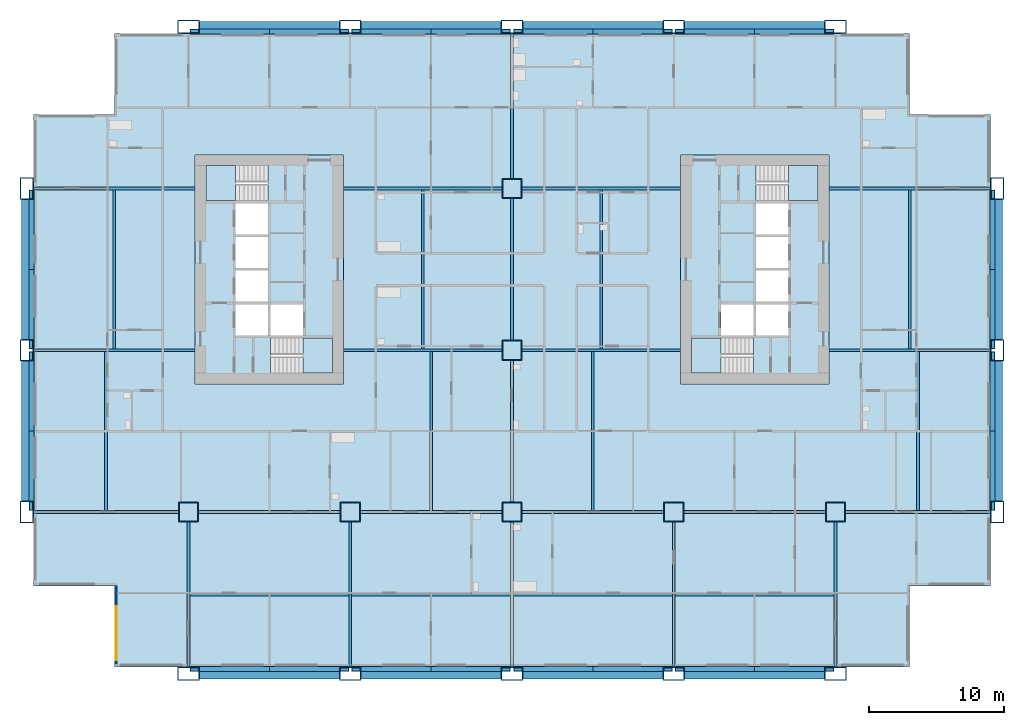
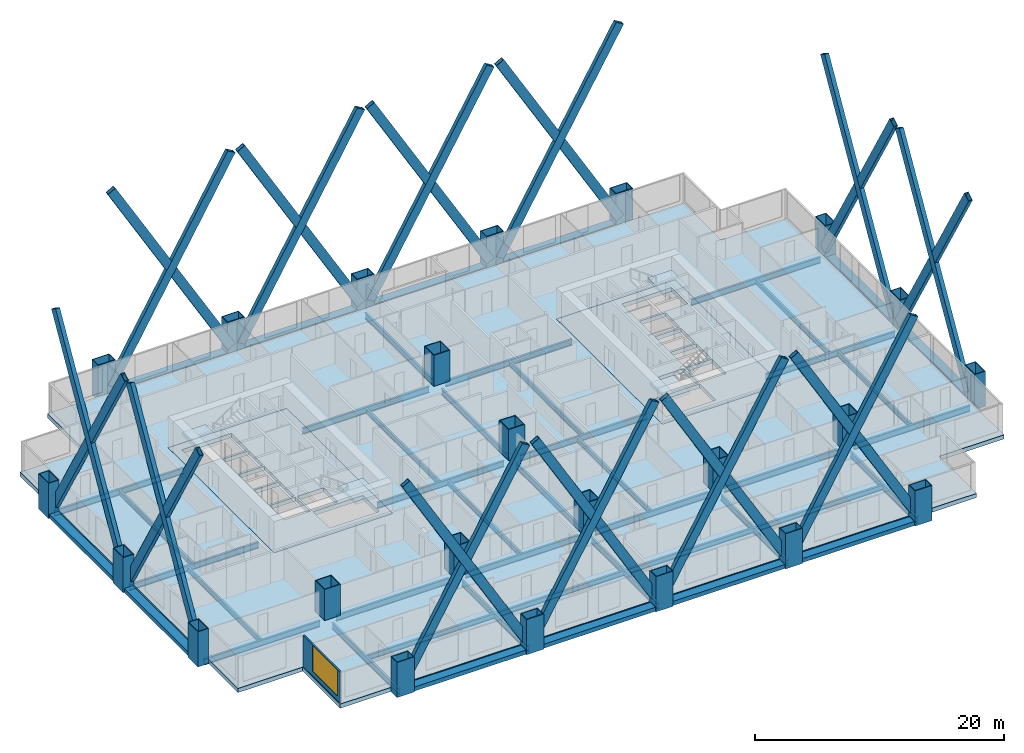
# One storey, part 1 of 13: 46 beams, 24 members, 23 columns, 7 slabs, 1 wall, 1 window, 1 opening, 4 elements without a shape of their own.
"""IFC4 building model written with IfcOpenShell, lengths in metres."""

import ifcopenshell
import ifcopenshell.guid

model = None  # the IFC model being written
_history = None  # IfcOwnerHistory: only IFC2X3 demands one
_inside = {}  # id of a spatial element -> (the spatial element, [elements in it])
_under = {}  # id of a project, library or spatial element -> (it, [spatial elements below it])
_declared = {}  # id of a project -> (the project, [libraries it declares])
_typed = {}  # id of a type object -> (the type object, [elements of that type])
_made_of = {}  # id of a material, layer set ... -> (it, [elements and type objects made of it])


def new_model(schema):
    """Start an empty IFC model of exactly this schema.

    Asked for "IFC4X3", IfcOpenShell would pick the latest addendum, in which some entities
    have other attributes; the version numbers below select the first issue.
    IFC2X3 requires an IfcOwnerHistory on every rooted entity: one is made here for all.
    """
    global model, _history
    if schema == "IFC4X3":
        model = ifcopenshell.file(schema_version=(4, 3, 0, 0))
    else:
        model = ifcopenshell.file(schema=schema)
    _inside.clear()
    _under.clear()
    _declared.clear()
    _typed.clear()
    _made_of.clear()
    _history = None
    if model.schema == "IFC2X3":
        org = make("IfcOrganization", Name="unknown")
        user = make(
            "IfcPersonAndOrganization",
            ThePerson=make("IfcPerson", FamilyName="unknown"),
            TheOrganization=org,
        )
        app = make(
            "IfcApplication",
            ApplicationDeveloper=org,
            Version="unknown",
            ApplicationFullName="unknown",
            ApplicationIdentifier="unknown",
        )
        _history = make(
            "IfcOwnerHistory",
            OwningUser=user,
            OwningApplication=app,
            ChangeAction="ADDED",
            CreationDate=0,
        )
    return model


def make(cls, **values):
    """One entity of the class cls with the attributes given. An attribute that is None is left unset."""
    return model.create_entity(
        cls, **{name: value for name, value in values.items() if value is not None}
    )


def rooted(cls, **values):
    """An entity with a GlobalId (a new one), such as an element, a storey or a relation."""
    return make(cls, GlobalId=ifcopenshell.guid.new(), OwnerHistory=_history, **values)


def si_unit(unit_type, name, prefix=None):
    """IfcSIUnit, for example si_unit("LENGTHUNIT", "METRE", prefix="MILLI")."""
    return make("IfcSIUnit", UnitType=unit_type, Prefix=prefix, Name=name)


def assignment(units):
    """IfcUnitAssignment: the units of a project."""
    return None if units is None else make("IfcUnitAssignment", Units=units)


def point(xyz):
    """IfcCartesianPoint."""
    return None if xyz is None else make("IfcCartesianPoint", Coordinates=xyz)


def direction(xyz):
    """IfcDirection."""
    return None if xyz is None else make("IfcDirection", DirectionRatios=xyz)


def frame(location, z_axis=None, x_axis=None):
    """IfcAxis2Placement3D, a coordinate frame: its origin and axes. An axis left out is left unset."""
    return make(
        "IfcAxis2Placement3D",
        Location=point(location),
        Axis=direction(z_axis),
        RefDirection=direction(x_axis),
    )


def frame_2d(location, x_axis=None):
    """IfcAxis2Placement2D, a coordinate frame in the plane: its origin and x axis."""
    return make(
        "IfcAxis2Placement2D", Location=point(location), RefDirection=direction(x_axis)
    )


def origin():
    """The frame at (0, 0, 0) with its axes left unset."""
    return frame((0.0, 0.0, 0.0))


def origin_2d():
    """The frame at (0, 0) in the plane with its x axis left unset."""
    return frame_2d((0.0, 0.0))


def place(relative_to, where):
    """IfcLocalPlacement: puts the frame where relative to a parent placement (None: the world)."""
    return make(
        "IfcLocalPlacement", PlacementRelTo=relative_to, RelativePlacement=where
    )


def context(
    kind, dimensions, precision=None, world=None, true_north=None, identifier=None
):
    """IfcGeometricRepresentationContext, for example the 3D "Model" context."""
    return make(
        "IfcGeometricRepresentationContext",
        ContextIdentifier=identifier,
        ContextType=kind,
        CoordinateSpaceDimension=dimensions,
        Precision=precision,
        WorldCoordinateSystem=world,
        TrueNorth=true_north,
    )


def subcontext(parent, identifier, kind, view, scale=None):
    """IfcGeometricRepresentationSubContext, for example "Body" below "Model"."""
    return make(
        "IfcGeometricRepresentationSubContext",
        ContextIdentifier=identifier,
        ContextType=kind,
        ParentContext=parent,
        TargetScale=scale,
        TargetView=view,
    )


def project(units=None, contexts=None):
    """IfcProject with its units and contexts."""
    return rooted(
        "IfcProject",
        Name="project",
        RepresentationContexts=contexts,
        UnitsInContext=assignment(units),
    )


def spatial(cls, under=None, at=None, **own):
    """A site, building, storey or space (cls), placed at a placement, below another one or the project."""
    s = rooted(cls, ObjectPlacement=at, **own)
    if under is not None:
        _under.setdefault(under.id(), (under, []))[1].append(s)
    return s


def polyline(points):
    """IfcPolyline through the points."""
    return make("IfcPolyline", Points=[point(p) for p in points])


def profile(cls, at=None, kind="AREA", **sizes):
    """A parametric profile (cls). Its sizes go by their IFC names, for example OverallWidth=200.0."""
    return make(cls, ProfileType=kind, Position=at, **sizes)


def rectangle(**sizes):
    """IfcRectangleProfileDef."""
    return profile("IfcRectangleProfileDef", **sizes)


def hollow_rectangle(**sizes):
    """IfcRectangleHollowProfileDef."""
    return profile("IfcRectangleHollowProfileDef", **sizes)


def i_section(**sizes):
    """IfcIShapeProfileDef."""
    return profile("IfcIShapeProfileDef", **sizes)


def outline(outer, holes=None, kind="AREA"):
    """IfcArbitraryClosedProfileDef: a profile drawn as a closed curve; with holes, ...WithVoids."""
    if holes is None:
        return make("IfcArbitraryClosedProfileDef", ProfileType=kind, OuterCurve=outer)
    return make(
        "IfcArbitraryProfileDefWithVoids",
        ProfileType=kind,
        OuterCurve=outer,
        InnerCurves=holes,
    )


def extrude(swept, where, along, depth):
    """IfcExtrudedAreaSolid: the profile swept, set in the frame where, extruded along a direction by depth."""
    return make(
        "IfcExtrudedAreaSolid",
        SweptArea=swept,
        Position=where,
        ExtrudedDirection=direction(along),
        Depth=depth,
    )


def shape(context_of_items, identifier, shape_type, items):
    """IfcShapeRepresentation: the items that make up one representation, for example the "Body"."""
    return make(
        "IfcShapeRepresentation",
        ContextOfItems=context_of_items,
        RepresentationIdentifier=identifier,
        RepresentationType=shape_type,
        Items=items,
    )


def material(Name=None, Category=None):
    """IfcMaterial."""
    return make("IfcMaterial", Name=Name, Category=Category)


def layer(
    of_material, thickness, ventilated=None, Name=None, Category=None, Priority=None
):
    """IfcMaterialLayer: one layer of a wall or slab, of a material (None: an air gap)."""
    return make(
        "IfcMaterialLayer",
        Material=of_material,
        LayerThickness=thickness,
        IsVentilated=ventilated,
        Name=Name,
        Category=Category,
        Priority=Priority,
    )


def layer_set(layers, Name=None):
    """IfcMaterialLayerSet."""
    return make("IfcMaterialLayerSet", MaterialLayers=layers, LayerSetName=Name)


def material_profile(
    of_material, cross_section, Name=None, Category=None, Priority=None
):
    """IfcMaterialProfile: a cross section and its material."""
    return make(
        "IfcMaterialProfile",
        Name=Name,
        Material=of_material,
        Profile=cross_section,
        Priority=Priority,
        Category=Category,
    )


def profile_set(profiles, Name=None, composite=None):
    """IfcMaterialProfileSet."""
    return make(
        "IfcMaterialProfileSet",
        Name=Name,
        MaterialProfiles=profiles,
        CompositeProfile=composite,
    )


def made_of(thing, what):
    """Note that an element or type object is made of a material, layer set ...; save() writes the relation."""
    if what is not None:
        _made_of.setdefault(what.id(), (what, []))[1].append(thing)
    return thing


def type_object(cls, material=None, **own):
    """A type object (cls), such as IfcWallType, which elements share."""
    return made_of(rooted(cls, **own), material)


def element(
    cls,
    number,
    at=None,
    inside=None,
    cuts=None,
    type_object=None,
    material=None,
    context=None,
    identifier="Body",
    shape_type=None,
    held_by="IfcProductDefinitionShape",
    body=None,
    shapes=None,
    **own,
):
    """One element of the class cls, such as IfcWall. Its Tag is "e" and its number.

    at: its placement. inside: the storey or other place that contains it. cuts: it is an
    opening in that element (IfcRelVoidsElement). A single representation is given by context,
    identifier, shape_type and body (its items); several are given by shapes. held_by: the class
    of the entity that holds the representations. save() writes the other relations.
    """
    e = rooted(cls, Tag="e%d" % number, ObjectPlacement=at, **own)
    if body is not None:
        shapes = [shape(context, identifier, shape_type, body)]
    if shapes is not None:
        e.Representation = make(held_by, Representations=shapes)
    if inside is not None:
        _inside.setdefault(inside.id(), (inside, []))[1].append(e)
    if cuts is not None:
        rooted(
            "IfcRelVoidsElement", RelatingBuildingElement=cuts, RelatedOpeningElement=e
        )
    if type_object is not None:
        _typed.setdefault(type_object.id(), (type_object, []))[1].append(e)
    return made_of(e, material)


def fill(opening, filler):
    """IfcRelFillsElement: the door or window that sits in an opening."""
    return rooted(
        "IfcRelFillsElement",
        RelatingOpeningElement=opening,
        RelatedBuildingElement=filler,
    )


def aggregate(whole, parts):
    """IfcRelAggregates: a whole, such as a stair, and the parts it consists of."""
    return rooted("IfcRelAggregates", RelatingObject=whole, RelatedObjects=parts)


def save(model, path):
    """Write the relations noted so far, then the file.

    IfcRelAggregates (storeys below a building ...), IfcRelContainedInSpatialStructure (elements
    in a storey), IfcRelDefinesByType, IfcRelAssociatesMaterial and IfcRelDeclares: one each for
    every whole, place, type object, material and project.
    """
    for whole, parts in _under.values():
        aggregate(whole, parts)
    for where, things in _inside.values():
        rooted(
            "IfcRelContainedInSpatialStructure",
            RelatedElements=things,
            RelatingStructure=where,
        )
    for kind, things in _typed.values():
        rooted("IfcRelDefinesByType", RelatedObjects=things, RelatingType=kind)
    for what, things in _made_of.values():
        rooted("IfcRelAssociatesMaterial", RelatedObjects=things, RelatingMaterial=what)
    for by, libraries in _declared.values():
        rooted("IfcRelDeclares", RelatingContext=by, RelatedDefinitions=libraries)
    model.write(path)


model = new_model("IFC4")

# Units and contexts
model_context = context("Model", 3, precision=1e-05, world=origin(), true_north=direction((0.0, 1.0)))
body_context = subcontext(model_context, "Body", "Model", "MODEL_VIEW")
ifc_project = project(units=[si_unit("LENGTHUNIT", "METRE"), si_unit("AREAUNIT", "SQUARE_METRE"), si_unit("VOLUMEUNIT", "CUBIC_METRE"), si_unit("PLANEANGLEUNIT", "RADIAN"), si_unit("MASSUNIT", "GRAM", prefix="KILO")], contexts=[model_context])

# Site, building, storey
site_placement = place(None, origin())
site = spatial("IfcSite", under=ifc_project, at=site_placement, CompositionType="ELEMENT")
building_placement = place(site_placement, origin())
building = spatial("IfcBuilding", under=site, at=building_placement, Name="Kitamizu Gate Tower and Museum", CompositionType="ELEMENT")
storey_placement = place(building_placement, frame((0.0, 0.0, 71.39990234375)))
storey = spatial("IfcBuildingStorey", under=building, at=storey_placement, Name="L17", CompositionType="ELEMENT", Elevation=71.39990234375)

# Columns
ifc_material_1 = material(Name="Steel SM490A bronze coated", Category="steel")
ifc_material_profile_1 = material_profile(ifc_material_1, hollow_rectangle(XDim=1.60009765625, YDim=1.0, WallThickness=0.06494140625, at=origin_2d()), Name="BOX 1600x1000x65")
ifc_profile_set_1 = profile_set([ifc_material_profile_1], Name="Steel SM490A bronze coated")
column_type_1 = type_object("IfcColumnType", Name="Exoskeleton column XC3 BOX 1600x1000x65", PredefinedType="COLUMN", material=ifc_profile_set_1)
for number, where, z_axis, x_axis, name in (
    (1, (0.0, 12.0, -0.39990234375), (0.0, 0.0, 1.0), (0.0, 1.0, 0.0), "Column XC3 1B L17"),
    (2, (0.0, 24.0, -0.39990234375), (0.0, 0.0, 1.0), (0.0, 1.0, 0.0), "Column XC3 1C L17"),
    (3, (0.0, 36.0, -0.39990234375), (0.0, 0.0, 1.0), (0.0, 1.0, 0.0), "Column XC3 1D L17"),
    (4, (12.0, 0.0, -0.39990234375), (0.0, 0.0, 1.0), (1.0, 0.0, 0.0), "Column XC3 2A L17"),
    (5, (12.0, 48.0, -0.39990234375), (0.0, 0.0, 1.0), (1.0, 0.0, 0.0), "Column XC3 2E L17"),
    (6, (24.0, 0.0, -0.39990234375), (0.0, 0.0, 1.0), (1.0, 0.0, 0.0), "Column XC3 3A L17"),
    (7, (24.0, 48.0, -0.39990234375), (0.0, 0.0, 1.0), (1.0, 0.0, 0.0), "Column XC3 3E L17"),
    (8, (36.0, 0.0, -0.39990234375), (0.0, 0.0, 1.0), (1.0, 0.0, 0.0), "Column XC3 4A L17"),
    (9, (36.0, 48.0, -0.39990234375), (0.0, 0.0, 1.0), (1.0, 0.0, 0.0), "Column XC3 4E L17"),
    (10, (48.0, 0.0, -0.39990234375), (0.0, 0.0, 1.0), (1.0, 0.0, 0.0), "Column XC3 5A L17"),
    (11, (48.0, 48.0, -0.39990234375), (0.0, 0.0, 1.0), (1.0, 0.0, 0.0), "Column XC3 5E L17"),
    (12, (60.0, 0.0, -0.39990234375), (0.0, 0.0, 1.0), (1.0, 0.0, 0.0), "Column XC3 6A L17"),
    (13, (60.0, 48.0, -0.39990234375), (0.0, 0.0, 1.0), (1.0, 0.0, 0.0), "Column XC3 6E L17"),
    (14, (72.0, 12.0, -0.39990234375), (0.0, 0.0, 1.0), (0.0, 1.0, 0.0), "Column XC3 7B L17"),
    (15, (72.0, 24.0, -0.39990234375), (0.0, 0.0, 1.0), (0.0, 1.0, 0.0), "Column XC3 7C L17"),
    (16, (72.0, 36.0, -0.39990234375), (0.0, 0.0, 1.0), (0.0, 1.0, 0.0), "Column XC3 7D L17"),
):
    element("IfcColumn", number, at=place(storey_placement, frame(where, z_axis=z_axis, x_axis=x_axis)), inside=storey, type_object=column_type_1, Name=name, PredefinedType="COLUMN", context=body_context, shape_type="SweptSolid", body=[
        extrude(hollow_rectangle(XDim=1.60009765625, YDim=1.0, WallThickness=0.06494140625, at=origin_2d()), origin(), (0.0, 0.0, 1.0), 3.449951171875),
    ])
ifc_material_2 = material(Name="Steel SM490A", Category="steel")
ifc_material_profile_2 = material_profile(ifc_material_2, hollow_rectangle(XDim=1.5, YDim=1.5, WallThickness=0.06494140625, at=origin_2d()), Name="BOX 1500x1500x65")
ifc_profile_set_2 = profile_set([ifc_material_profile_2], Name="Steel SM490A")
column_type_2 = type_object("IfcColumnType", Name="Interior column IC2 BOX 1500x1500x65", PredefinedType="COLUMN", material=ifc_profile_set_2)
for number, where, z_axis, x_axis, name in (
    (17, (12.0, 12.0, 0.0), (0.0, 0.0, 1.0), (1.0, 0.0, 0.0), "Column IC2 2B L17"),
    (18, (24.0, 12.0, 0.0), (0.0, 0.0, 1.0), (1.0, 0.0, 0.0), "Column IC2 3B L17"),
    (19, (36.0, 12.0, 0.0), (0.0, 0.0, 1.0), (1.0, 0.0, 0.0), "Column IC2 4B L17"),
    (20, (36.0, 24.0, 0.0), (0.0, 0.0, 1.0), (1.0, 0.0, 0.0), "Column IC2 4C L17"),
    (21, (36.0, 36.0, 0.0), (0.0, 0.0, 1.0), (1.0, 0.0, 0.0), "Column IC2 4D L17"),
    (22, (48.0, 12.0, 0.0), (0.0, 0.0, 1.0), (1.0, 0.0, 0.0), "Column IC2 5B L17"),
    (23, (60.0, 12.0, 0.0), (0.0, 0.0, 1.0), (1.0, 0.0, 0.0), "Column IC2 6B L17"),
):
    element("IfcColumn", number, at=place(storey_placement, frame(where, z_axis=z_axis, x_axis=x_axis)), inside=storey, type_object=column_type_2, Name=name, PredefinedType="COLUMN", context=body_context, shape_type="SweptSolid", body=[
        extrude(hollow_rectangle(XDim=1.5, YDim=1.5, WallThickness=0.06494140625, at=origin_2d()), origin(), (0.0, 0.0, 1.0), 3.050048828125),
    ])

# Members
ifc_material_3 = material(Name="Steel SM490A bronze coated", Category="steel")
ifc_material_profile_3 = material_profile(ifc_material_3, hollow_rectangle(XDim=0.3798828125, YDim=0.800048828125, WallThickness=0.0400390625, at=origin_2d()), Name="BOX 380x800x40")
ifc_profile_set_3 = profile_set([ifc_material_profile_3], Name="Steel SM490A bronze coated")
member_type = type_object("IfcMemberType", Name="Exoskeleton brace XB3 BOX 380x800x40", PredefinedType="BRACE", material=ifc_profile_set_3)
for number, where, z_axis, x_axis, name in (
    (24, (12.449951171875, 0.360107421875, 0.60009765625), (0.502464478356, 0.0, 0.864597853334), (0.0, 1.0, 0.0), "Exoskeleton brace XB3 south 12 L17"),
    (25, (23.550048828125, 0.360107421875, 0.60009765625), (-0.502464478356, 0.0, 0.864597853334), (0.0, -1.0, 0.0), "Exoskeleton brace XB3 south 12 L17"),
    (26, (24.449951171875, 0.360107421875, 0.60009765625), (0.502464478356, 0.0, 0.864597853334), (0.0, 1.0, 0.0), "Exoskeleton brace XB3 south 24 L17"),
    (27, (35.550048828125, 0.360107421875, 0.60009765625), (-0.502464478356, 0.0, 0.864597853334), (0.0, -1.0, 0.0), "Exoskeleton brace XB3 south 24 L17"),
    (28, (36.449951171875, 0.360107421875, 0.60009765625), (0.502464478356, 0.0, 0.864597853334), (0.0, 1.0, 0.0), "Exoskeleton brace XB3 south 36 L17"),
    (29, (47.550048828125, 0.360107421875, 0.60009765625), (-0.502464478356, 0.0, 0.864597853334), (0.0, -1.0, 0.0), "Exoskeleton brace XB3 south 36 L17"),
    (30, (48.449951171875, 0.360107421875, 0.60009765625), (0.502464478356, 0.0, 0.864597853334), (0.0, 1.0, 0.0), "Exoskeleton brace XB3 south 48 L17"),
    (31, (59.550048828125, 0.360107421875, 0.60009765625), (-0.502464478356, 0.0, 0.864597853334), (0.0, -1.0, 0.0), "Exoskeleton brace XB3 south 48 L17"),
    (32, (12.449951171875, 47.639892578125, 0.60009765625), (0.502464478356, 0.0, 0.864597853334), (0.0, 1.0, 0.0), "Exoskeleton brace XB3 north 12 L17"),
    (33, (23.550048828125, 47.639892578125, 0.60009765625), (-0.502464478356, 0.0, 0.864597853334), (0.0, -1.0, 0.0), "Exoskeleton brace XB3 north 12 L17"),
    (34, (24.449951171875, 47.639892578125, 0.60009765625), (0.502464478356, 0.0, 0.864597853334), (0.0, 1.0, 0.0), "Exoskeleton brace XB3 north 24 L17"),
    (35, (35.550048828125, 47.639892578125, 0.60009765625), (-0.502464478356, 0.0, 0.864597853334), (0.0, -1.0, 0.0), "Exoskeleton brace XB3 north 24 L17"),
    (36, (36.449951171875, 47.639892578125, 0.60009765625), (0.502464478356, 0.0, 0.864597853334), (0.0, 1.0, 0.0), "Exoskeleton brace XB3 north 36 L17"),
    (37, (47.550048828125, 47.639892578125, 0.60009765625), (-0.502464478356, 0.0, 0.864597853334), (0.0, -1.0, 0.0), "Exoskeleton brace XB3 north 36 L17"),
    (38, (48.449951171875, 47.639892578125, 0.60009765625), (0.502464478356, 0.0, 0.864597853334), (0.0, 1.0, 0.0), "Exoskeleton brace XB3 north 48 L17"),
    (39, (59.550048828125, 47.639892578125, 0.60009765625), (-0.502464478356, 0.0, 0.864597853334), (0.0, -1.0, 0.0), "Exoskeleton brace XB3 north 48 L17"),
    (40, (0.360107421875, 12.449951171875, 0.60009765625), (0.0, 0.502464478356, 0.864597853334), (-1.0, 0.0, 0.0), "Exoskeleton brace XB3 west 12 L17"),
    (41, (0.360107421875, 23.550048828125, 0.60009765625), (0.0, -0.502464478356, 0.864597853334), (1.0, 0.0, 0.0), "Exoskeleton brace XB3 west 12 L17"),
    (42, (0.360107421875, 24.449951171875, 0.60009765625), (0.0, 0.502464478356, 0.864597853334), (-1.0, 0.0, 0.0), "Exoskeleton brace XB3 west 24 L17"),
    (43, (0.360107421875, 35.550048828125, 0.60009765625), (0.0, -0.502464478356, 0.864597853334), (1.0, 0.0, 0.0), "Exoskeleton brace XB3 west 24 L17"),
    (44, (71.639892578125, 12.449951171875, 0.60009765625), (0.0, 0.502464478356, 0.864597853334), (-1.0, 0.0, 0.0), "Exoskeleton brace XB3 east 12 L17"),
    (45, (71.639892578125, 23.550048828125, 0.60009765625), (0.0, -0.502464478356, 0.864597853334), (1.0, 0.0, 0.0), "Exoskeleton brace XB3 east 12 L17"),
    (46, (71.639892578125, 24.449951171875, 0.60009765625), (0.0, 0.502464478356, 0.864597853334), (-1.0, 0.0, 0.0), "Exoskeleton brace XB3 east 24 L17"),
    (47, (71.639892578125, 35.550048828125, 0.60009765625), (0.0, -0.502464478356, 0.864597853334), (1.0, 0.0, 0.0), "Exoskeleton brace XB3 east 24 L17"),
):
    element("IfcMember", number, at=place(storey_placement, frame(where, z_axis=z_axis, x_axis=x_axis)), inside=storey, type_object=member_type, Name=name, PredefinedType="BRACE", context=body_context, shape_type="SweptSolid", body=[
        extrude(hollow_rectangle(XDim=0.3798828125, YDim=0.800048828125, WallThickness=0.0400390625, at=origin_2d()), origin(), (0.0, 0.0, 1.0), 22.09130859375),
    ])

# Beams
ifc_material_4 = material(Name="Steel SM490A bronze coated", Category="steel")
ifc_material_profile_4 = material_profile(ifc_material_4, hollow_rectangle(XDim=0.800048828125, YDim=0.39990234375, WallThickness=0.0400390625, at=origin_2d()), Name="BOX 800x400x40")
ifc_profile_set_4 = profile_set([ifc_material_profile_4], Name="Steel SM490A bronze coated")
beam_type_1 = type_object("IfcBeamType", Name="Exoskeleton spandrel beam SB1 BOX 800x400x40", PredefinedType="SPANDREL", material=ifc_profile_set_4)
for number, where, z_axis, x_axis, name in (
    (48, (12.800048828125, 0.0, -0.199951171875), (1.0, 0.0, 0.0), (0.0, 1.0, 0.0), "Exoskeleton spandrel beam south 12 L17"),
    (49, (24.800048828125, 0.0, -0.199951171875), (1.0, 0.0, 0.0), (0.0, 1.0, 0.0), "Exoskeleton spandrel beam south 24 L17"),
    (50, (36.800048828125, 0.0, -0.199951171875), (1.0, 0.0, 0.0), (0.0, 1.0, 0.0), "Exoskeleton spandrel beam south 36 L17"),
    (51, (48.800048828125, 0.0, -0.199951171875), (1.0, 0.0, 0.0), (0.0, 1.0, 0.0), "Exoskeleton spandrel beam south 48 L17"),
    (52, (12.800048828125, 48.0, -0.199951171875), (1.0, 0.0, 0.0), (0.0, 1.0, 0.0), "Exoskeleton spandrel beam north 12 L17"),
    (53, (24.800048828125, 48.0, -0.199951171875), (1.0, 0.0, 0.0), (0.0, 1.0, 0.0), "Exoskeleton spandrel beam north 24 L17"),
    (54, (36.800048828125, 48.0, -0.199951171875), (1.0, 0.0, 0.0), (0.0, 1.0, 0.0), "Exoskeleton spandrel beam north 36 L17"),
    (55, (48.800048828125, 48.0, -0.199951171875), (1.0, 0.0, 0.0), (0.0, 1.0, 0.0), "Exoskeleton spandrel beam north 48 L17"),
    (56, (0.0, 12.800048828125, -0.199951171875), (0.0, 1.0, 0.0), (-1.0, 0.0, 0.0), "Exoskeleton spandrel beam west 12 L17"),
    (57, (0.0, 24.800048828125, -0.199951171875), (0.0, 1.0, 0.0), (-1.0, 0.0, 0.0), "Exoskeleton spandrel beam west 24 L17"),
    (58, (72.0, 12.800048828125, -0.199951171875), (0.0, 1.0, 0.0), (-1.0, 0.0, 0.0), "Exoskeleton spandrel beam east 12 L17"),
    (59, (72.0, 24.800048828125, -0.199951171875), (0.0, 1.0, 0.0), (-1.0, 0.0, 0.0), "Exoskeleton spandrel beam east 24 L17"),
):
    element("IfcBeam", number, at=place(storey_placement, frame(where, z_axis=z_axis, x_axis=x_axis)), inside=storey, type_object=beam_type_1, Name=name, PredefinedType="SPANDREL", context=body_context, shape_type="SweptSolid", body=[
        extrude(hollow_rectangle(XDim=0.800048828125, YDim=0.39990234375, WallThickness=0.0400390625, at=origin_2d()), origin(), (0.0, 0.0, 1.0), 10.39990234375),
    ])
ifc_material_5 = material(Name="Steel SM490A", Category="steel")
ifc_material_profile_5 = material_profile(ifc_material_5, i_section(OverallWidth=0.199951171875, OverallDepth=0.5, WebThickness=0.010009765625, FlangeThickness=0.01611328125, FilletRadius=0.02001953125, at=origin_2d()), Name="H-500x200x10x16")
ifc_profile_set_5 = profile_set([ifc_material_profile_5], Name="Steel SM490A")
beam_type_2 = type_object("IfcBeamType", Name="Floor beam FB1 H 500x200x10x16", PredefinedType="BEAM", material=ifc_profile_set_5)
for number, where, z_axis, x_axis, name in (
    (60, (12.10009765625, 5.875, -0.64990234375), (1.0, 0.0, 0.0), (0.0, 1.0, 0.0), "Floor beam FB1 L17-1"),
    (61, (24.10009765625, 5.875, -0.64990234375), (1.0, 0.0, 0.0), (0.0, 1.0, 0.0), "Floor beam FB1 L17-2"),
    (62, (36.10009765625, 5.875, -0.64990234375), (1.0, 0.0, 0.0), (0.0, 1.0, 0.0), "Floor beam FB1 L17-3"),
    (63, (48.10009765625, 5.875, -0.64990234375), (1.0, 0.0, 0.0), (0.0, 1.0, 0.0), "Floor beam FB1 L17-4"),
    (64, (5.875, 12.10009765625, -0.64990234375), (0.0, 1.0, 0.0), (-1.0, 0.0, 0.0), "Floor beam FB1 L17-5"),
    (65, (30.0, 12.10009765625, -0.64990234375), (0.0, 1.0, 0.0), (-1.0, 0.0, 0.0), "Floor beam FB1 L17-6"),
    (66, (42.0, 12.10009765625, -0.64990234375), (0.0, 1.0, 0.0), (-1.0, 0.0, 0.0), "Floor beam FB1 L17-7"),
    (67, (66.125, 12.10009765625, -0.64990234375), (0.0, 1.0, 0.0), (-1.0, 0.0, 0.0), "Floor beam FB1 L17-8"),
    (68, (6.5, 24.10009765625, -0.64990234375), (0.0, 1.0, 0.0), (-1.0, 0.0, 0.0), "Floor beam FB1 L17-9"),
    (69, (29.375, 24.10009765625, -0.64990234375), (0.0, 1.0, 0.0), (-1.0, 0.0, 0.0), "Floor beam FB1 L17-10"),
    (70, (42.625, 24.10009765625, -0.64990234375), (0.0, 1.0, 0.0), (-1.0, 0.0, 0.0), "Floor beam FB1 L17-11"),
    (71, (65.5, 24.10009765625, -0.64990234375), (0.0, 1.0, 0.0), (-1.0, 0.0, 0.0), "Floor beam FB1 L17-12"),
):
    element("IfcBeam", number, at=place(storey_placement, frame(where, z_axis=z_axis, x_axis=x_axis)), inside=storey, type_object=beam_type_2, Name=name, PredefinedType="BEAM", context=body_context, shape_type="SweptSolid", body=[
        extrude(i_section(OverallWidth=0.199951171875, OverallDepth=0.5, WebThickness=0.010009765625, FlangeThickness=0.01611328125, FilletRadius=0.02001953125, at=origin_2d()), origin(), (0.0, 0.0, 1.0), 11.7998046875),
    ])
ifc_material_6 = material(Name="Steel SM490A", Category="steel")
ifc_material_profile_6 = material_profile(ifc_material_6, i_section(OverallWidth=0.199951171875, OverallDepth=0.60009765625, WebThickness=0.010986328125, FlangeThickness=0.01708984375, FilletRadius=0.02197265625, at=origin_2d()), Name="H-600x200x11x17")
ifc_profile_set_6 = profile_set([ifc_material_profile_6], Name="Steel SM490A")
beam_type_3 = type_object("IfcBeamType", Name="Floor girder FG1 H 600x200x11x17", PredefinedType="BEAM", material=ifc_profile_set_6)
for number, where, z_axis, x_axis, name in (
    (72, (12.0, 0.5, -0.699951171875), (0.0, 1.0, 0.0), (-1.0, 0.0, 0.0), "Floor girder FG1 x12 L17"),
    (73, (24.0, 0.5, -0.699951171875), (0.0, 1.0, 0.0), (-1.0, 0.0, 0.0), "Floor girder FG1 x24 L17"),
    (74, (36.0, 0.5, -0.699951171875), (0.0, 1.0, 0.0), (-1.0, 0.0, 0.0), "Floor girder FG1 x36 L17"),
):
    element("IfcBeam", number, at=place(storey_placement, frame(where, z_axis=z_axis, x_axis=x_axis)), inside=storey, type_object=beam_type_3, Name=name, PredefinedType="BEAM", context=body_context, shape_type="SweptSolid", body=[
        extrude(i_section(OverallWidth=0.199951171875, OverallDepth=0.60009765625, WebThickness=0.010986328125, FlangeThickness=0.01708984375, FilletRadius=0.02197265625, at=origin_2d()), origin(), (0.0, 0.0, 1.0), 10.75),
    ])
for number, where, z_axis, x_axis, name in (
    (75, (36.0, 12.75, -0.699951171875), (0.0, 1.0, 0.0), (-1.0, 0.0, 0.0), "Floor girder FG1 x36 L17"),
    (76, (36.0, 24.75, -0.699951171875), (0.0, 1.0, 0.0), (-1.0, 0.0, 0.0), "Floor girder FG1 x36 L17"),
):
    element("IfcBeam", number, at=place(storey_placement, frame(where, z_axis=z_axis, x_axis=x_axis)), inside=storey, type_object=beam_type_3, Name=name, PredefinedType="BEAM", context=body_context, shape_type="SweptSolid", body=[
        extrude(i_section(OverallWidth=0.199951171875, OverallDepth=0.60009765625, WebThickness=0.010986328125, FlangeThickness=0.01708984375, FilletRadius=0.02197265625, at=origin_2d()), origin(), (0.0, 0.0, 1.0), 10.5),
    ])
for number, where, z_axis, x_axis, name in (
    (77, (36.0, 36.75, -0.699951171875), (0.0, 1.0, 0.0), (-1.0, 0.0, 0.0), "Floor girder FG1 x36 L17"),
    (78, (48.0, 0.5, -0.699951171875), (0.0, 1.0, 0.0), (-1.0, 0.0, 0.0), "Floor girder FG1 x48 L17"),
    (79, (60.0, 0.5, -0.699951171875), (0.0, 1.0, 0.0), (-1.0, 0.0, 0.0), "Floor girder FG1 x60 L17"),
    (80, (0.5, 12.0, -0.699951171875), (1.0, 0.0, 0.0), (0.0, 1.0, 0.0), "Floor girder FG1 y12 L17"),
):
    element("IfcBeam", number, at=place(storey_placement, frame(where, z_axis=z_axis, x_axis=x_axis)), inside=storey, type_object=beam_type_3, Name=name, PredefinedType="BEAM", context=body_context, shape_type="SweptSolid", body=[
        extrude(i_section(OverallWidth=0.199951171875, OverallDepth=0.60009765625, WebThickness=0.010986328125, FlangeThickness=0.01708984375, FilletRadius=0.02197265625, at=origin_2d()), origin(), (0.0, 0.0, 1.0), 10.75),
    ])
for number, where, z_axis, x_axis, name in (
    (81, (12.75, 12.0, -0.699951171875), (1.0, 0.0, 0.0), (0.0, 1.0, 0.0), "Floor girder FG1 y12 L17"),
    (82, (24.75, 12.0, -0.699951171875), (1.0, 0.0, 0.0), (0.0, 1.0, 0.0), "Floor girder FG1 y12 L17"),
    (83, (36.75, 12.0, -0.699951171875), (1.0, 0.0, 0.0), (0.0, 1.0, 0.0), "Floor girder FG1 y12 L17"),
    (84, (48.75, 12.0, -0.699951171875), (1.0, 0.0, 0.0), (0.0, 1.0, 0.0), "Floor girder FG1 y12 L17"),
):
    element("IfcBeam", number, at=place(storey_placement, frame(where, z_axis=z_axis, x_axis=x_axis)), inside=storey, type_object=beam_type_3, Name=name, PredefinedType="BEAM", context=body_context, shape_type="SweptSolid", body=[
        extrude(i_section(OverallWidth=0.199951171875, OverallDepth=0.60009765625, WebThickness=0.010986328125, FlangeThickness=0.01708984375, FilletRadius=0.02197265625, at=origin_2d()), origin(), (0.0, 0.0, 1.0), 10.5),
    ])
beam_1_placement = place(storey_placement, frame((60.75, 12.0, -0.699951171875), z_axis=(1.0, 0.0, 0.0), x_axis=(0.0, 1.0, 0.0)))
element("IfcBeam", 85, at=beam_1_placement, inside=storey, type_object=beam_type_3, Name="Floor girder FG1 y12 L17", PredefinedType="BEAM", context=body_context, shape_type="SweptSolid", body=[
    extrude(i_section(OverallWidth=0.199951171875, OverallDepth=0.60009765625, WebThickness=0.010986328125, FlangeThickness=0.01708984375, FilletRadius=0.02197265625, at=origin_2d()), origin(), (0.0, 0.0, 1.0), 10.75),
])
beam_2_placement = place(storey_placement, frame((0.5, 24.0, -0.699951171875), z_axis=(1.0, 0.0, 0.0), x_axis=(0.0, 1.0, 0.0)))
element("IfcBeam", 86, at=beam_2_placement, inside=storey, type_object=beam_type_3, Name="Floor girder FG1 y24 L17", PredefinedType="BEAM", context=body_context, shape_type="SweptSolid", body=[
    extrude(i_section(OverallWidth=0.199951171875, OverallDepth=0.60009765625, WebThickness=0.010986328125, FlangeThickness=0.01708984375, FilletRadius=0.02197265625, at=origin_2d()), origin(), (0.0, 0.0, 1.0), 12.0),
])
for number, where, z_axis, x_axis, name in (
    (87, (23.5, 24.0, -0.699951171875), (1.0, 0.0, 0.0), (0.0, 1.0, 0.0), "Floor girder FG1 y24 L17"),
    (88, (36.75, 24.0, -0.699951171875), (1.0, 0.0, 0.0), (0.0, 1.0, 0.0), "Floor girder FG1 y24 L17"),
):
    element("IfcBeam", number, at=place(storey_placement, frame(where, z_axis=z_axis, x_axis=x_axis)), inside=storey, type_object=beam_type_3, Name=name, PredefinedType="BEAM", context=body_context, shape_type="SweptSolid", body=[
        extrude(i_section(OverallWidth=0.199951171875, OverallDepth=0.60009765625, WebThickness=0.010986328125, FlangeThickness=0.01708984375, FilletRadius=0.02197265625, at=origin_2d()), origin(), (0.0, 0.0, 1.0), 11.75),
    ])
for number, where, z_axis, x_axis, name in (
    (89, (59.5, 24.0, -0.699951171875), (1.0, 0.0, 0.0), (0.0, 1.0, 0.0), "Floor girder FG1 y24 L17"),
    (90, (0.5, 36.0, -0.699951171875), (1.0, 0.0, 0.0), (0.0, 1.0, 0.0), "Floor girder FG1 y36 L17"),
):
    element("IfcBeam", number, at=place(storey_placement, frame(where, z_axis=z_axis, x_axis=x_axis)), inside=storey, type_object=beam_type_3, Name=name, PredefinedType="BEAM", context=body_context, shape_type="SweptSolid", body=[
        extrude(i_section(OverallWidth=0.199951171875, OverallDepth=0.60009765625, WebThickness=0.010986328125, FlangeThickness=0.01708984375, FilletRadius=0.02197265625, at=origin_2d()), origin(), (0.0, 0.0, 1.0), 12.0),
    ])
for number, where, z_axis, x_axis, name in (
    (91, (23.5, 36.0, -0.699951171875), (1.0, 0.0, 0.0), (0.0, 1.0, 0.0), "Floor girder FG1 y36 L17"),
    (92, (36.75, 36.0, -0.699951171875), (1.0, 0.0, 0.0), (0.0, 1.0, 0.0), "Floor girder FG1 y36 L17"),
):
    element("IfcBeam", number, at=place(storey_placement, frame(where, z_axis=z_axis, x_axis=x_axis)), inside=storey, type_object=beam_type_3, Name=name, PredefinedType="BEAM", context=body_context, shape_type="SweptSolid", body=[
        extrude(i_section(OverallWidth=0.199951171875, OverallDepth=0.60009765625, WebThickness=0.010986328125, FlangeThickness=0.01708984375, FilletRadius=0.02197265625, at=origin_2d()), origin(), (0.0, 0.0, 1.0), 11.75),
    ])
beam_3_placement = place(storey_placement, frame((59.5, 36.0, -0.699951171875), z_axis=(1.0, 0.0, 0.0), x_axis=(0.0, 1.0, 0.0)))
element("IfcBeam", 93, at=beam_3_placement, inside=storey, type_object=beam_type_3, Name="Floor girder FG1 y36 L17", PredefinedType="BEAM", context=body_context, shape_type="SweptSolid", body=[
    extrude(i_section(OverallWidth=0.199951171875, OverallDepth=0.60009765625, WebThickness=0.010986328125, FlangeThickness=0.01708984375, FilletRadius=0.02197265625, at=origin_2d()), origin(), (0.0, 0.0, 1.0), 12.0),
])

# Slabs
ifc_material_7 = material(Name="Concrete Fc36", Category="concrete")
ifc_layer_1 = layer(ifc_material_7, 0.39990234375)
ifc_layer_set_1 = layer_set([ifc_layer_1], Name="Concrete Fc36")
slab_type_1 = type_object("IfcSlabType", Name="Core floor slab 400", PredefinedType="FLOOR", material=ifc_layer_set_1)
slab_1_placement = place(storey_placement, frame((0.0, 0.0, -0.39990234375)))
element("IfcSlab", 94, at=slab_1_placement, inside=storey, type_object=slab_type_1, Name="Core floor slab W", PredefinedType="FLOOR", context=body_context, shape_type="SweptSolid", body=[
    extrude(outline(polyline([(12.5, 21.5), (23.5, 21.5), (23.5, 38.5), (12.5, 38.5), (12.5, 21.5)]), holes=[polyline([(15.5, 25.10009765625), (17.89990234375, 25.10009765625), (17.89990234375, 27.39990234375), (15.5, 27.39990234375), (15.5, 25.10009765625)]), polyline([(15.5, 27.60009765625), (17.89990234375, 27.60009765625), (17.89990234375, 29.89990234375), (15.5, 29.89990234375), (15.5, 27.60009765625)]), polyline([(15.5, 30.10009765625), (17.89990234375, 30.10009765625), (17.89990234375, 32.39990234375), (15.5, 32.39990234375), (15.5, 30.10009765625)]), polyline([(15.5, 32.60009765625), (17.89990234375, 32.60009765625), (17.89990234375, 34.89990234375), (15.5, 34.89990234375), (15.5, 32.60009765625)]), polyline([(18.10009765625, 25.10009765625), (20.5, 25.10009765625), (20.5, 27.39990234375), (18.10009765625, 27.39990234375), (18.10009765625, 25.10009765625)]), polyline([(18.1005859375, 22.300048828125), (22.699951171875, 22.300048828125), (22.699951171875, 24.89990234375), (18.1005859375, 24.89990234375), (18.1005859375, 22.300048828125)]), polyline([(13.300048828125, 35.10009765625), (17.8994140625, 35.10009765625), (17.8994140625, 37.699951171875), (13.300048828125, 37.699951171875), (13.300048828125, 35.10009765625)])]), origin(), (0.0, 0.0, 1.0), 0.39990234375),
])
slab_2_placement = place(storey_placement, frame((0.0, 0.0, -0.39990234375)))
element("IfcSlab", 95, at=slab_2_placement, inside=storey, type_object=slab_type_1, Name="Core floor slab E", PredefinedType="FLOOR", context=body_context, shape_type="SweptSolid", body=[
    extrude(outline(polyline([(48.5, 21.5), (59.5, 21.5), (59.5, 38.5), (48.5, 38.5), (48.5, 21.5)]), holes=[polyline([(54.10009765625, 25.10009765625), (56.5, 25.10009765625), (56.5, 27.39990234375), (54.10009765625, 27.39990234375), (54.10009765625, 25.10009765625)]), polyline([(54.10009765625, 27.60009765625), (56.5, 27.60009765625), (56.5, 29.89990234375), (54.10009765625, 29.89990234375), (54.10009765625, 27.60009765625)]), polyline([(54.10009765625, 30.10009765625), (56.5, 30.10009765625), (56.5, 32.39990234375), (54.10009765625, 32.39990234375), (54.10009765625, 30.10009765625)]), polyline([(54.10009765625, 32.60009765625), (56.5, 32.60009765625), (56.5, 34.89990234375), (54.10009765625, 34.89990234375), (54.10009765625, 32.60009765625)]), polyline([(51.5, 25.10009765625), (53.89990234375, 25.10009765625), (53.89990234375, 27.39990234375), (51.5, 27.39990234375), (51.5, 25.10009765625)]), polyline([(49.300048828125, 22.300048828125), (53.8994140625, 22.300048828125), (53.8994140625, 24.89990234375), (49.300048828125, 24.89990234375), (49.300048828125, 22.300048828125)]), polyline([(54.1005859375, 35.10009765625), (58.699951171875, 35.10009765625), (58.699951171875, 37.699951171875), (54.1005859375, 37.699951171875), (54.1005859375, 35.10009765625)])]), origin(), (0.0, 0.0, 1.0), 0.39990234375),
])
ifc_material_8 = material(Name="Concrete Fc36", Category="concrete")
ifc_layer_2 = layer(ifc_material_8, 0.39990234375)
ifc_layer_set_2 = layer_set([ifc_layer_2], Name="Concrete Fc36")
slab_type_2 = type_object("IfcSlabType", Name="Post tensioned flat slab 400", PredefinedType="FLOOR", material=ifc_layer_set_2)
slab_3_placement = place(storey_placement, frame((0.0, 0.0, -0.39990234375)))
element("IfcSlab", 96, at=slab_3_placement, inside=storey, type_object=slab_type_2, Name="Floor slab L17-1", PredefinedType="FLOOR", context=body_context, shape_type="SweptSolid", body=[
    extrude(outline(polyline([(0.5, 6.5), (0.5, 41.5), (6.5, 41.5), (6.5, 47.5), (65.5, 47.5), (65.5, 41.5), (71.5, 41.5), (71.5, 6.5), (65.5, 6.5), (65.5, 0.5), (6.5, 0.5), (6.5, 6.5), (0.5, 6.5)]), holes=[polyline([(59.5, 38.5), (48.5, 38.5), (48.5, 21.5), (59.5, 21.5), (59.5, 38.5)]), polyline([(12.5, 38.5), (12.5, 21.5), (23.5, 21.5), (23.5, 38.5), (12.5, 38.5)])]), origin(), (0.0, 0.0, 1.0), 0.39990234375),
])

# Stair, slab
ifc_material_9 = material(Name="Concrete Fc42", Category="concrete")
stair_type = type_object("IfcStairType", Name="Exit stair 1200 wide 192 rise 300 going", PredefinedType="HALF_TURN_STAIR", material=ifc_material_9)
stair_1_placement = place(storey_placement, origin())
stair_1 = element("IfcStair", 97, at=stair_1_placement, inside=storey, type_object=stair_type, Name="Exit stair ST1", PredefinedType="HALF_TURN_STAIR")
ifc_material_10 = material(Name="Concrete Fc42", Category="concrete")
ifc_layer_3 = layer(ifc_material_10, 0.300048828125)
ifc_layer_set_3 = layer_set([ifc_layer_3], Name="Concrete Fc42")
slab_type_3 = type_object("IfcSlabType", Name="Stair landing 300", PredefinedType="LANDING", material=ifc_layer_set_3)
slab_4_placement = place(storey_placement, frame((0.0, 0.0, 1.425048828125)))
slab_4 = element("IfcSlab", 98, at=slab_4_placement, type_object=slab_type_3, Name="ST1 landing 1", PredefinedType="LANDING", context=body_context, shape_type="SweptSolid", body=[
    extrude(outline(polyline([(20.5, 22.300048828125), (22.699951171875, 22.300048828125), (22.699951171875, 24.89990234375), (20.5, 24.89990234375), (20.5, 22.300048828125)])), origin(), (0.0, 0.0, 1.0), 0.300048828125),
])
aggregate(stair_1, [slab_4])

stair_2_placement = place(storey_placement, origin())
stair_2 = element("IfcStair", 99, at=stair_2_placement, inside=storey, type_object=stair_type, Name="Exit stair ST2", PredefinedType="HALF_TURN_STAIR")
slab_5_placement = place(storey_placement, frame((0.0, 0.0, 1.425048828125)))
slab_5 = element("IfcSlab", 100, at=slab_5_placement, type_object=slab_type_3, Name="ST2 landing 1", PredefinedType="LANDING", context=body_context, shape_type="SweptSolid", body=[
    extrude(outline(polyline([(13.300048828125, 35.10009765625), (15.5, 35.10009765625), (15.5, 37.699951171875), (13.300048828125, 37.699951171875), (13.300048828125, 35.10009765625)])), origin(), (0.0, 0.0, 1.0), 0.300048828125),
])
aggregate(stair_2, [slab_5])

stair_3_placement = place(storey_placement, origin())
stair_3 = element("IfcStair", 101, at=stair_3_placement, inside=storey, type_object=stair_type, Name="Exit stair ST3", PredefinedType="HALF_TURN_STAIR")
slab_6_placement = place(storey_placement, frame((0.0, 0.0, 1.425048828125)))
slab_6 = element("IfcSlab", 102, at=slab_6_placement, type_object=slab_type_3, Name="ST3 landing 1", PredefinedType="LANDING", context=body_context, shape_type="SweptSolid", body=[
    extrude(outline(polyline([(49.300048828125, 22.300048828125), (51.5, 22.300048828125), (51.5, 24.89990234375), (49.300048828125, 24.89990234375), (49.300048828125, 22.300048828125)])), origin(), (0.0, 0.0, 1.0), 0.300048828125),
])
aggregate(stair_3, [slab_6])

stair_4_placement = place(storey_placement, origin())
stair_4 = element("IfcStair", 103, at=stair_4_placement, inside=storey, type_object=stair_type, Name="Exit stair ST4", PredefinedType="HALF_TURN_STAIR")
slab_7_placement = place(storey_placement, frame((0.0, 0.0, 1.425048828125)))
slab_7 = element("IfcSlab", 104, at=slab_7_placement, type_object=slab_type_3, Name="ST4 landing 1", PredefinedType="LANDING", context=body_context, shape_type="SweptSolid", body=[
    extrude(outline(polyline([(56.5, 35.10009765625), (58.699951171875, 35.10009765625), (58.699951171875, 37.699951171875), (56.5, 37.699951171875), (56.5, 35.10009765625)])), origin(), (0.0, 0.0, 1.0), 0.300048828125),
])
aggregate(stair_4, [slab_7])

# Wall, opening, window
ifc_material_11 = material(Name="Bronze anodised aluminium frame with insulated spandrel and tinted glass", Category="aluminium")
ifc_layer_4 = layer(ifc_material_11, 0.14990234375)
ifc_layer_set_4 = layer_set([ifc_layer_4], Name="Bronze anodised aluminium frame with insulated spandrel and tinted glass")
wall_type = type_object("IfcWallType", Name="WINDOW WALL 150 BRONZE FRAME EI 30", PredefinedType="ELEMENTEDWALL", material=ifc_layer_set_4)
wall_placement = place(storey_placement, frame((6.635009765625, 0.7099609375, 0.0), z_axis=(0.0, 0.0, 1.0), x_axis=(0.0, 1.0, 0.0)))
wall = element("IfcWall", 105, at=wall_placement, inside=storey, type_object=wall_type, Name="Window wall west L17", PredefinedType="ELEMENTEDWALL", context=body_context, shape_type="SweptSolid", body=[
    extrude(rectangle(XDim=5.85009765625, YDim=0.14990234375, at=frame_2d((2.925048828125, 0.0))), origin(), (0.0, 0.0, 1.0), 3.050048828125),
])
opening_placement = place(wall_placement, frame((0.2900390625, 0.0, 0.449951171875)))
opening = element("IfcOpeningElement", 106, at=opening_placement, cuts=wall, Name="Opening W16", PredefinedType="OPENING", context=body_context, shape_type="SweptSolid", body=[
    extrude(rectangle(XDim=4.0, YDim=2.550048828125, at=frame_2d((2.0, 1.27490234375))), frame((0.0, 0.0849609375, 0.0), z_axis=(0.0, -1.0, 0.0), x_axis=(1.0, 0.0, 0.0)), (0.0, 0.0, 1.0), 0.169921875),
])
ifc_material_12 = material(Name="Bronze anodised aluminium frame, tinted triple glazing", Category="aluminium")
window_type = type_object("IfcWindowType", Name="WINDOW 4000 x 2550 SILL 450", PartitioningType="SINGLE_PANEL", PredefinedType="WINDOW", material=ifc_material_12)
window_placement = place(opening_placement, origin())
window = element("IfcWindow", 107, at=window_placement, inside=storey, type_object=window_type, Name="Window W16 L17", OverallHeight=2.550048828125, OverallWidth=4.0, PartitioningType="SINGLE_PANEL", PredefinedType="WINDOW", context=body_context, shape_type="SweptSolid", body=[
    extrude(rectangle(XDim=4.0, YDim=2.550048828125, at=frame_2d((2.0, 1.27490234375))), frame((0.0, 0.030029296875, 0.0), z_axis=(0.0, -1.0, 0.0), x_axis=(1.0, 0.0, 0.0)), (0.0, 0.0, 1.0), 0.06005859375),
])
fill(opening, window)

save(model, "model.ifc")
